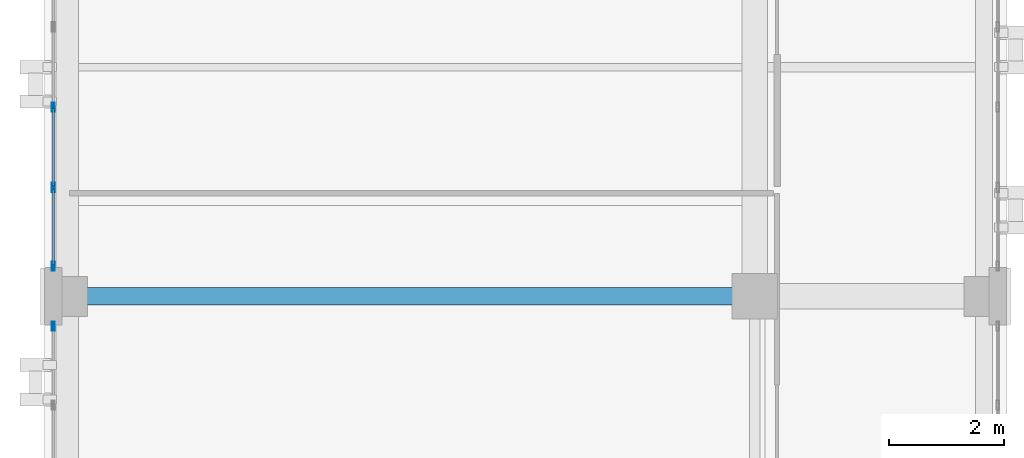
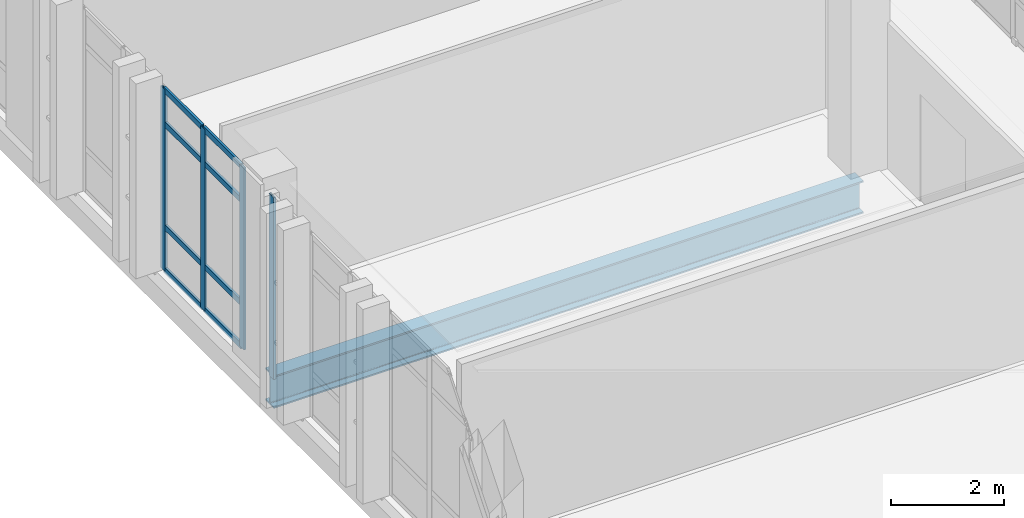
# One storey, part 69 of 193: 12 members, 1 beam, 2 elements without a shape of their own.
"""IFC4 building model written with IfcOpenShell, lengths in metres."""

from ifc_helpers import new_model, si_unit, direction, frame, origin, origin_2d, place, context, subcontext, project, spatial, hollow_rectangle, i_section, extrude, material, layer, layer_set, material_profile, profile_set, type_object, element, aggregate, save


model = new_model("IFC4")

# Units and contexts
model_context = context("Model", 3, precision=1e-05, world=origin(), true_north=direction((0.0, 1.0)))
body_context = subcontext(model_context, "Body", "Model", "MODEL_VIEW")
ifc_project = project(units=[si_unit("LENGTHUNIT", "METRE"), si_unit("AREAUNIT", "SQUARE_METRE"), si_unit("VOLUMEUNIT", "CUBIC_METRE"), si_unit("PLANEANGLEUNIT", "RADIAN"), si_unit("MASSUNIT", "GRAM", prefix="KILO")], contexts=[model_context])

# Site, building, storey
site_placement = place(None, origin())
site = spatial("IfcSite", under=ifc_project, at=site_placement, CompositionType="ELEMENT")
building_placement = place(site_placement, origin())
building = spatial("IfcBuilding", under=site, at=building_placement, Name="Qalavern Law Courts", CompositionType="ELEMENT")
storey_placement = place(building_placement, frame((0.0, 0.0, 10.199951171875)))
storey = spatial("IfcBuildingStorey", under=building, at=storey_placement, Name="L02", CompositionType="ELEMENT", Elevation=10.199951171875)

# Curtain wall, members
ifc_material_1 = material(Name="Anodised aluminium and insulated glazing", Category="aluminium")
ifc_layer = layer(ifc_material_1, 0.172119140625)
ifc_layer_set = layer_set([ifc_layer], Name="Anodised aluminium and insulated glazing")
curtain_wall_type = type_object("IfcCurtainWallType", Name="ENV-CW-COURT", PredefinedType="USERDEFINED", material=ifc_layer_set)
curtain_wall_1_placement = place(storey_placement, origin())
curtain_wall_1 = element("IfcCurtainWall", 1, at=curtain_wall_1_placement, inside=storey, type_object=curtain_wall_type, Name="V3 unitised curtain wall L02 west 4", ObjectType="UNITISED CURTAIN WALL", PredefinedType="USERDEFINED")
ifc_material_2 = material(Name="Anodised aluminium", Category="aluminium")
ifc_material_profile_1 = material_profile(ifc_material_2, hollow_rectangle(XDim=0.048095703125, YDim=0.159912109375, WallThickness=0.00390625, at=origin_2d()), Name="ALU MULLION 48x160")
ifc_profile_set_1 = profile_set([ifc_material_profile_1], Name="Anodised aluminium")
member_type_1 = type_object("IfcMemberType", Name="ENV-CWM-48x160", PredefinedType="MULLION", material=ifc_profile_set_1)
member_1_placement = place(storey_placement, frame((2.155029296875, 68.699951171875, 0.0), z_axis=(0.0, 0.0, 1.0), x_axis=(1.0, 0.0, 0.0)))
member_1 = element("IfcMember", 2, at=member_1_placement, type_object=member_type_1, Name="CW-03 mullion 4", PredefinedType="MULLION", context=body_context, shape_type="SweptSolid", body=[
    extrude(hollow_rectangle(XDim=0.048095703125, YDim=0.159912109375, WallThickness=0.00390625, at=origin_2d()), origin(), (0.0, 0.0, 1.0), 3.9150390625),
])
member_2_placement = place(storey_placement, frame((2.155029296875, 67.300048828125, 0.0), z_axis=(0.0, 0.0, 1.0), x_axis=(1.0, 0.0, 0.0)))
member_2 = element("IfcMember", 3, at=member_2_placement, type_object=member_type_1, Name="CW-03 mullion 5", PredefinedType="MULLION", context=body_context, shape_type="SweptSolid", body=[
    extrude(hollow_rectangle(XDim=0.048095703125, YDim=0.159912109375, WallThickness=0.00390625, at=origin_2d()), origin(), (0.0, 0.0, 1.0), 3.9150390625),
])
member_3_placement = place(storey_placement, frame((2.155029296875, 65.924072265625, 0.0), z_axis=(0.0, 0.0, 1.0), x_axis=(1.0, 0.0, 0.0)))
member_3 = element("IfcMember", 4, at=member_3_placement, type_object=member_type_1, Name="CW-03 mullion 6", PredefinedType="MULLION", context=body_context, shape_type="SweptSolid", body=[
    extrude(hollow_rectangle(XDim=0.048095703125, YDim=0.159912109375, WallThickness=0.00390625, at=origin_2d()), origin(), (0.0, 0.0, 1.0), 3.9150390625),
])

# Curtain wall, member
curtain_wall_2_placement = place(storey_placement, origin())
curtain_wall_2 = element("IfcCurtainWall", 5, at=curtain_wall_2_placement, inside=storey, type_object=curtain_wall_type, Name="V3 unitised curtain wall L02 west 5", ObjectType="UNITISED CURTAIN WALL", PredefinedType="USERDEFINED")
member_4_placement = place(storey_placement, frame((2.155029296875, 64.8759765625, 0.0), z_axis=(0.0, 0.0, 1.0), x_axis=(1.0, 0.0, 0.0)))
member_4 = element("IfcMember", 6, at=member_4_placement, type_object=member_type_1, Name="CW-03 mullion 1", PredefinedType="MULLION", context=body_context, shape_type="SweptSolid", body=[
    extrude(hollow_rectangle(XDim=0.048095703125, YDim=0.159912109375, WallThickness=0.00390625, at=origin_2d()), origin(), (0.0, 0.0, 1.0), 3.9150390625),
])
aggregate(curtain_wall_2, [member_4])

# Member
ifc_material_profile_2 = material_profile(ifc_material_2, hollow_rectangle(XDim=0.048095703125, YDim=0.1201171875, WallThickness=0.00390625, at=origin_2d()), Name="ALU TRANSOM 48x120")
ifc_profile_set_2 = profile_set([ifc_material_profile_2], Name="Anodised aluminium")
member_type_2 = type_object("IfcMemberType", Name="ENV-CWT-48x120", PredefinedType="USERDEFINED", material=ifc_profile_set_2)
member_5_placement = place(storey_placement, frame((2.155029296875, 68.676025390625, 0.024169921875), z_axis=(0.0, -1.0, 0.0), x_axis=(1.0, 0.0, 0.0)))
member_5 = element("IfcMember", 7, at=member_5_placement, type_object=member_type_2, Name="CW-03 transom 4.1", ObjectType="TRANSOM", PredefinedType="USERDEFINED", context=body_context, shape_type="SweptSolid", body=[
    extrude(hollow_rectangle(XDim=0.048095703125, YDim=0.1201171875, WallThickness=0.00390625, at=origin_2d()), origin(), (0.0, 0.0, 1.0), 1.35205078125),
])

member_6_placement = place(storey_placement, frame((2.155029296875, 68.676025390625, 0.949951171875), z_axis=(0.0, -1.0, 0.0), x_axis=(1.0, 0.0, 0.0)))
member_6 = element("IfcMember", 8, at=member_6_placement, type_object=member_type_2, Name="CW-03 transom 4.2", ObjectType="TRANSOM", PredefinedType="USERDEFINED", context=body_context, shape_type="SweptSolid", body=[
    extrude(hollow_rectangle(XDim=0.048095703125, YDim=0.1201171875, WallThickness=0.00390625, at=origin_2d()), origin(), (0.0, 0.0, 1.0), 1.35205078125),
])

member_7_placement = place(storey_placement, frame((2.155029296875, 68.676025390625, 3.1650390625), z_axis=(0.0, -1.0, 0.0), x_axis=(1.0, 0.0, 0.0)))
member_7 = element("IfcMember", 9, at=member_7_placement, type_object=member_type_2, Name="CW-03 transom 4.3", ObjectType="TRANSOM", PredefinedType="USERDEFINED", context=body_context, shape_type="SweptSolid", body=[
    extrude(hollow_rectangle(XDim=0.048095703125, YDim=0.1201171875, WallThickness=0.00390625, at=origin_2d()), origin(), (0.0, 0.0, 1.0), 1.35205078125),
])

member_8_placement = place(storey_placement, frame((2.155029296875, 68.676025390625, 3.89111328125), z_axis=(0.0, -1.0, 0.0), x_axis=(1.0, 0.0, 0.0)))
member_8 = element("IfcMember", 10, at=member_8_placement, type_object=member_type_2, Name="CW-03 transom 4.4", ObjectType="TRANSOM", PredefinedType="USERDEFINED", context=body_context, shape_type="SweptSolid", body=[
    extrude(hollow_rectangle(XDim=0.048095703125, YDim=0.1201171875, WallThickness=0.00390625, at=origin_2d()), origin(), (0.0, 0.0, 1.0), 1.35205078125),
])

member_9_placement = place(storey_placement, frame((2.155029296875, 67.27587890625, 0.024169921875), z_axis=(0.0, -1.0, 0.0), x_axis=(1.0, 0.0, 0.0)))
member_9 = element("IfcMember", 11, at=member_9_placement, type_object=member_type_2, Name="CW-03 transom 5.1", ObjectType="TRANSOM", PredefinedType="USERDEFINED", context=body_context, shape_type="SweptSolid", body=[
    extrude(hollow_rectangle(XDim=0.048095703125, YDim=0.1201171875, WallThickness=0.00390625, at=origin_2d()), origin(), (0.0, 0.0, 1.0), 1.327880859375),
])

member_10_placement = place(storey_placement, frame((2.155029296875, 67.27587890625, 0.949951171875), z_axis=(0.0, -1.0, 0.0), x_axis=(1.0, 0.0, 0.0)))
member_10 = element("IfcMember", 12, at=member_10_placement, type_object=member_type_2, Name="CW-03 transom 5.2", ObjectType="TRANSOM", PredefinedType="USERDEFINED", context=body_context, shape_type="SweptSolid", body=[
    extrude(hollow_rectangle(XDim=0.048095703125, YDim=0.1201171875, WallThickness=0.00390625, at=origin_2d()), origin(), (0.0, 0.0, 1.0), 1.327880859375),
])

member_11_placement = place(storey_placement, frame((2.155029296875, 67.27587890625, 3.1650390625), z_axis=(0.0, -1.0, 0.0), x_axis=(1.0, 0.0, 0.0)))
member_11 = element("IfcMember", 13, at=member_11_placement, type_object=member_type_2, Name="CW-03 transom 5.3", ObjectType="TRANSOM", PredefinedType="USERDEFINED", context=body_context, shape_type="SweptSolid", body=[
    extrude(hollow_rectangle(XDim=0.048095703125, YDim=0.1201171875, WallThickness=0.00390625, at=origin_2d()), origin(), (0.0, 0.0, 1.0), 1.327880859375),
])

member_12_placement = place(storey_placement, frame((2.155029296875, 67.27587890625, 3.89111328125), z_axis=(0.0, -1.0, 0.0), x_axis=(1.0, 0.0, 0.0)))
member_12 = element("IfcMember", 14, at=member_12_placement, type_object=member_type_2, Name="CW-03 transom 5.4", ObjectType="TRANSOM", PredefinedType="USERDEFINED", context=body_context, shape_type="SweptSolid", body=[
    extrude(hollow_rectangle(XDim=0.048095703125, YDim=0.1201171875, WallThickness=0.00390625, at=origin_2d()), origin(), (0.0, 0.0, 1.0), 1.327880859375),
])

aggregate(curtain_wall_1, [member_1, member_2, member_3, member_5, member_6, member_7, member_8, member_9, member_10, member_11, member_12])

# Beam
ifc_material_3 = material(Name="Steel S355", Category="steel")
ifc_material_profile_3 = material_profile(ifc_material_3, i_section(OverallWidth=0.300048828125, OverallDepth=0.699951171875, WebThickness=0.01708984375, FlangeThickness=0.031982421875, FilletRadius=0.027099609375, at=origin_2d()), Name="HEB 700")
ifc_profile_set_3 = profile_set([ifc_material_profile_3], Name="Steel S355")
beam_type = type_object("IfcBeamType", Name="STR-BM-HEB700", PredefinedType="BEAM", material=ifc_profile_set_3)
beam_placement = place(storey_placement, frame((2.39990234375, 65.39990234375, -0.639892578125), z_axis=(1.0, 0.0, 0.0), x_axis=(0.0, 1.0, 0.0)))
element("IfcBeam", 15, at=beam_placement, inside=storey, type_object=beam_type, Name="V3 X-beam 4-1 L02", PredefinedType="BEAM", context=body_context, shape_type="SweptSolid", body=[
    extrude(i_section(OverallWidth=0.300048828125, OverallDepth=0.699951171875, WebThickness=0.01708984375, FlangeThickness=0.031982421875, FilletRadius=0.027099609375, at=origin_2d()), origin(), (0.0, 0.0, 1.0), 12.0),
])

save(model, "model.ifc")
